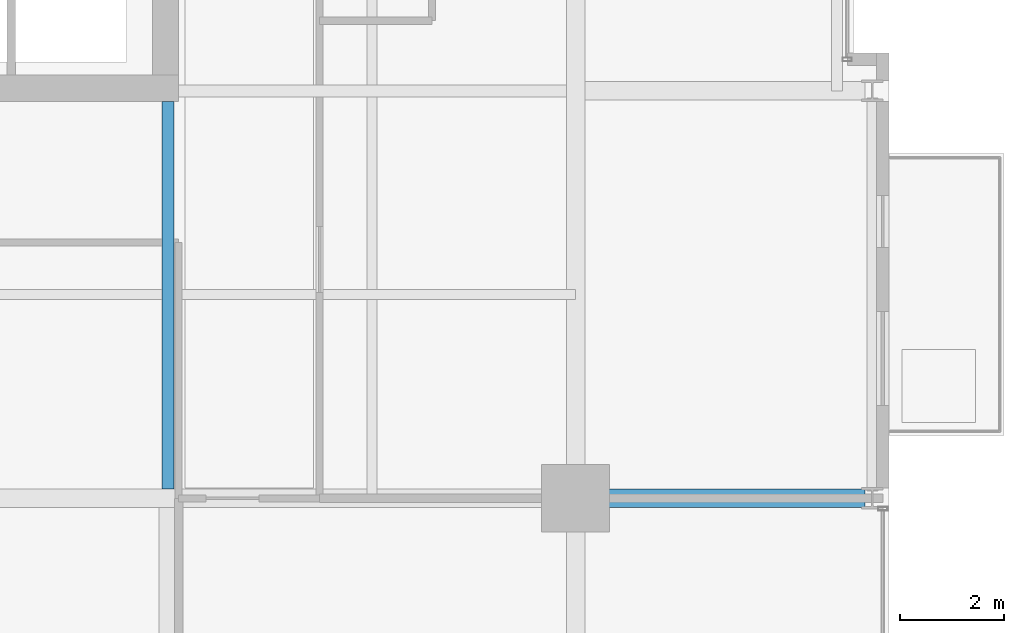
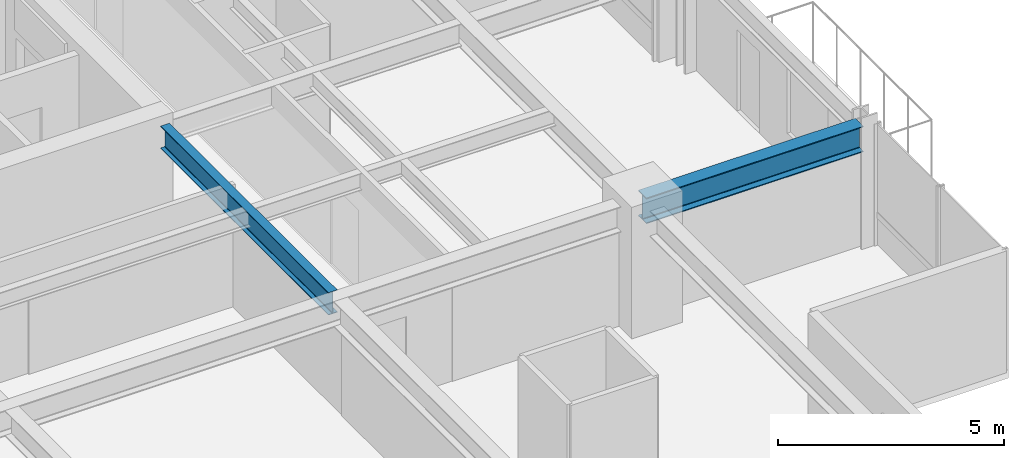
# One storey, part 12 of 32: 2 beams.
"""IFC4 building model written with IfcOpenShell, lengths in metres."""

from ifc_helpers import new_model, si_unit, direction, frame, origin, origin_2d, place, context, subcontext, project, spatial, i_section, extrude, material, material_profile, profile_set, type_object, element, save


model = new_model("IFC4")

# Units and contexts
model_context = context("Model", 3, precision=1e-05, world=origin(), true_north=direction((0.0, 1.0)))
body_context = subcontext(model_context, "Body", "Model", "MODEL_VIEW")
ifc_project = project(units=[si_unit("LENGTHUNIT", "METRE"), si_unit("AREAUNIT", "SQUARE_METRE"), si_unit("VOLUMEUNIT", "CUBIC_METRE"), si_unit("PLANEANGLEUNIT", "RADIAN"), si_unit("MASSUNIT", "GRAM", prefix="KILO")], contexts=[model_context])

# Site, building, storey
site_placement = place(None, origin())
site = spatial("IfcSite", under=ifc_project, at=site_placement, CompositionType="ELEMENT")
building_placement = place(site_placement, origin())
building = spatial("IfcBuilding", under=site, at=building_placement, Name="Drelvath Grand Hotel", CompositionType="ELEMENT")
storey_placement = place(building_placement, frame((0.0, 0.0, 164.60009765625)))
storey = spatial("IfcBuildingStorey", under=building, at=storey_placement, Name="L42", CompositionType="ELEMENT", Elevation=164.60009765625)

# Beams
ifc_material = material(Name="Steel ASTM A992 Gr 50", Category="steel")
ifc_material_profile_1 = material_profile(ifc_material, i_section(OverallWidth=0.228271484375, OverallDepth=0.607666015625, WebThickness=0.01123046875, FlangeThickness=0.017333984375, FilletRadius=0.02001953125, at=origin_2d()), Name="W24X76")
ifc_profile_set_1 = profile_set([ifc_material_profile_1], Name="Steel ASTM A992 Gr 50")
beam_type_1 = type_object("IfcBeamType", Name="Primary Floor Girder W24X76", PredefinedType="BEAM", material=ifc_profile_set_1)
beam_1_placement = place(storey_placement, frame((8.39990234375, 10.977294921875, 2.986083984375), z_axis=(0.0, 1.0, 0.0), x_axis=(-1.0, 0.0, 0.0)))
element("IfcBeam", 1, at=beam_1_placement, inside=storey, type_object=beam_type_1, Name="L42 South Core Tie 6", PredefinedType="BEAM", context=body_context, shape_type="SweptSolid", body=[
    extrude(i_section(OverallWidth=0.228271484375, OverallDepth=0.607666015625, WebThickness=0.01123046875, FlangeThickness=0.017333984375, FilletRadius=0.02001953125, at=origin_2d()), origin(), (0.0, 0.0, 1.0), 7.422607421875),
])
ifc_material_profile_2 = material_profile(ifc_material, i_section(OverallWidth=0.354736328125, OverallDepth=0.695556640625, WebThickness=0.015380859375, FlangeThickness=0.025146484375, FilletRadius=0.02392578125, at=origin_2d()), Name="W27X146")
ifc_profile_set_2 = profile_set([ifc_material_profile_2], Name="Steel ASTM A992 Gr 50")
beam_type_2 = type_object("IfcBeamType", Name="Primary Floor Girder W27X146", PredefinedType="BEAM", material=ifc_profile_set_2)
beam_2_placement = place(storey_placement, frame((16.199951171875, 10.800048828125, 2.942138671875), z_axis=(1.0, 0.0, 0.0), x_axis=(0.0, 1.0, 0.0)))
element("IfcBeam", 2, at=beam_2_placement, inside=storey, type_object=beam_type_2, Name="L42 East Grid Girder C", PredefinedType="BEAM", context=body_context, shape_type="SweptSolid", body=[
    extrude(i_section(OverallWidth=0.354736328125, OverallDepth=0.695556640625, WebThickness=0.015380859375, FlangeThickness=0.025146484375, FilletRadius=0.02392578125, at=origin_2d()), origin(), (0.0, 0.0, 1.0), 5.5400390625),
])

save(model, "model.ifc")
